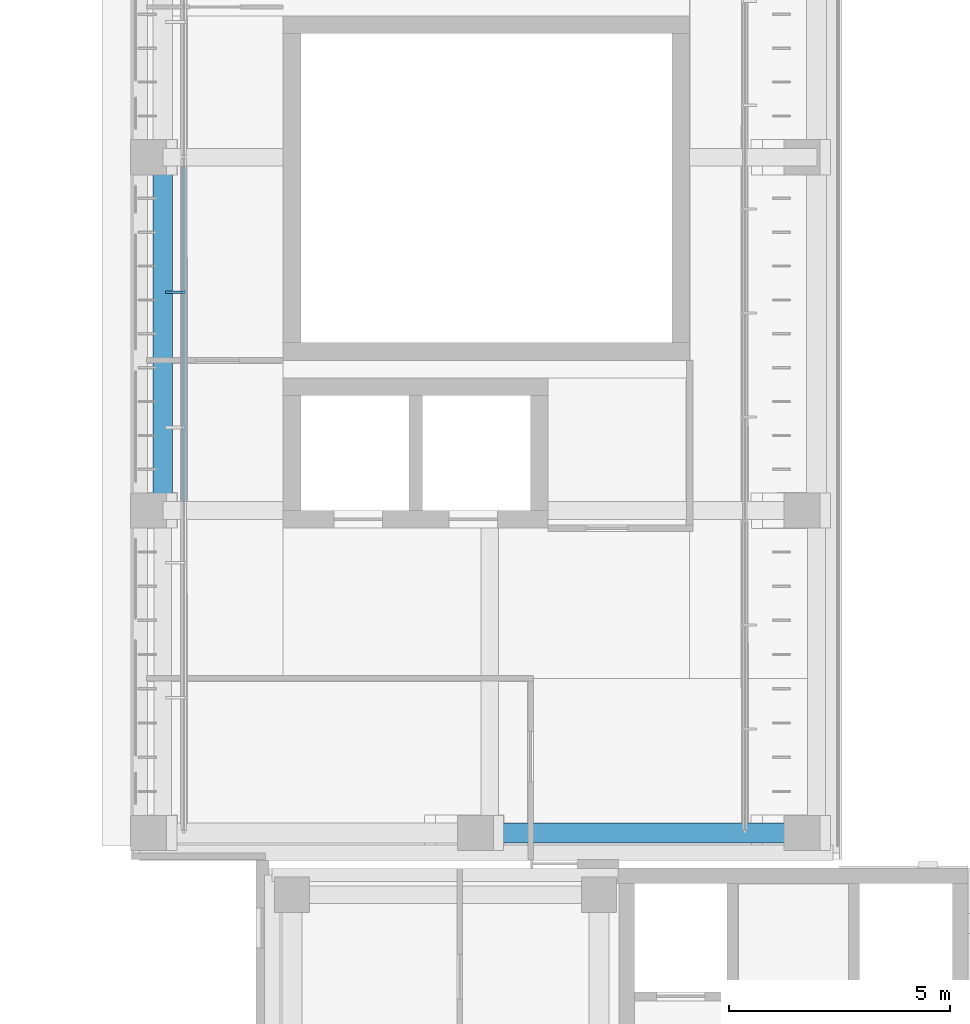
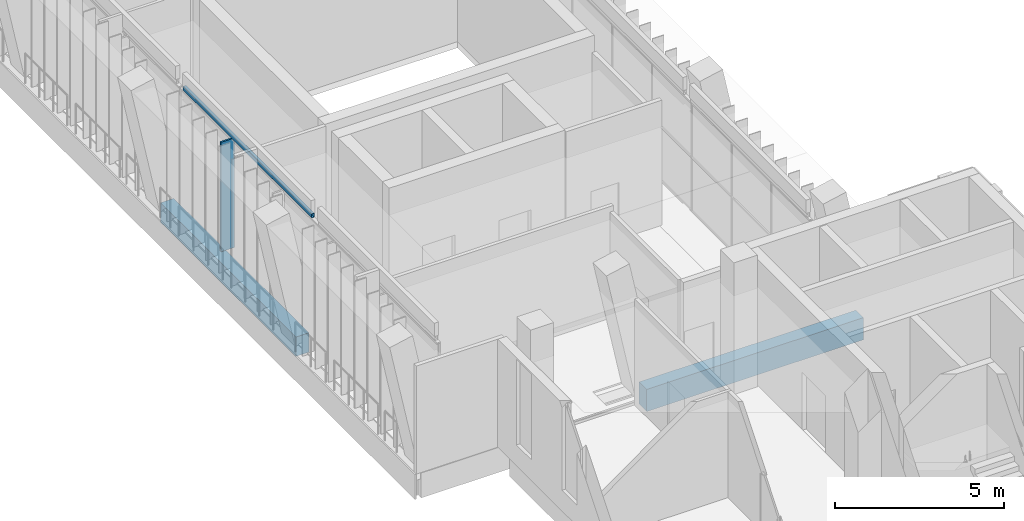
# One storey, part 23 of 89: 3 beams, 1 member, 1 element without a shape of its own.
"""IFC4 building model written with IfcOpenShell, lengths in metres."""

from ifc_helpers import new_model, si_unit, direction, frame, origin, origin_2d, place, context, subcontext, project, spatial, rectangle, hollow_rectangle, extrude, material, material_profile, profile_set, type_object, element, aggregate, save


model = new_model("IFC4")

# Units and contexts
model_context = context("Model", 3, precision=1e-05, world=origin(), true_north=direction((0.0, 1.0)))
body_context = subcontext(model_context, "Body", "Model", "MODEL_VIEW")
ifc_project = project(units=[si_unit("LENGTHUNIT", "METRE"), si_unit("AREAUNIT", "SQUARE_METRE"), si_unit("VOLUMEUNIT", "CUBIC_METRE"), si_unit("PLANEANGLEUNIT", "RADIAN"), si_unit("MASSUNIT", "GRAM", prefix="KILO")], contexts=[model_context])

# Site, building, storey
site_placement = place(None, origin())
site = spatial("IfcSite", under=ifc_project, at=site_placement, CompositionType="ELEMENT")
building_placement = place(site_placement, origin())
building = spatial("IfcBuilding", under=site, at=building_placement, Name="Lantern Court Media Centre", CompositionType="ELEMENT")
storey_placement = place(building_placement, frame((0.0, 0.0, 14.39990234375)))
storey = spatial("IfcBuildingStorey", under=building, at=storey_placement, Name="L03", CompositionType="ELEMENT", Elevation=14.39990234375)

# Curtain wall, member
ifc_material_1 = material(Name="Curtain wall bay 3000")
curtain_wall_type = type_object("IfcCurtainWallType", Name="Curtain wall bay 3000", PredefinedType="NOTDEFINED", material=ifc_material_1)
curtain_wall_placement = place(storey_placement, origin())
curtain_wall = element("IfcCurtainWall", 1, at=curtain_wall_placement, inside=storey, type_object=curtain_wall_type, Name="Curtain wall W outer L03", PredefinedType="NOTDEFINED")
ifc_material_2 = material(Name="Anodised aluminium", Category="aluminium")
ifc_material_profile_1 = material_profile(ifc_material_2, rectangle(XDim=0.449951171875, YDim=0.06005859375, at=origin_2d()), Name="AL 60x450")
ifc_profile_set_1 = profile_set([ifc_material_profile_1], Name="Anodised aluminium")
member_type = type_object("IfcMemberType", Name="Curtain wall mullion 60x450", PredefinedType="MULLION", material=ifc_profile_set_1)
member_placement = place(storey_placement, frame((5.955078125, 76.93994140625, 0.0), z_axis=(0.0, 0.0, 1.0), x_axis=(-1.0, 0.0, 0.0)))
member = element("IfcMember", 2, at=member_placement, type_object=member_type, Name="CW1 mullion 5", PredefinedType="MULLION", context=body_context, shape_type="SweptSolid", body=[
    extrude(rectangle(XDim=0.449951171875, YDim=0.06005859375, at=origin_2d()), origin(), (0.0, 0.0, 1.0), 3.9501953125),
])
aggregate(curtain_wall, [member])

# Beams
ifc_material_3 = material(Name="Steel S355J2 (EN 10025-2)", Category="steel")
ifc_material_profile_2 = material_profile(ifc_material_3, hollow_rectangle(XDim=0.10009765625, YDim=0.14990234375, WallThickness=0.00634765625, InnerFilletRadius=0.00634765625, OuterFilletRadius=0.009521484375, at=origin_2d()), Name="Facade head lintel RHS 150x100x6.3")
ifc_profile_set_2 = profile_set([ifc_material_profile_2], Name="Steel S355J2 (EN 10025-2)")
beam_type_1 = type_object("IfcBeamType", Name="Facade head lintel RHS 150x100x6.3", PredefinedType="BEAM", material=ifc_profile_set_2)
beam_1_placement = place(storey_placement, frame((6.14990234375, 72.199951171875, 4.025146484375), z_axis=(0.0, 1.0, 0.0), x_axis=(-1.0, 0.0, 0.0)))
element("IfcBeam", 3, at=beam_1_placement, inside=storey, type_object=beam_type_1, Name="Facade head lintel W L03", PredefinedType="BEAM", context=body_context, shape_type="SweptSolid", body=[
    extrude(hollow_rectangle(XDim=0.10009765625, YDim=0.14990234375, WallThickness=0.00634765625, InnerFilletRadius=0.00634765625, OuterFilletRadius=0.009521484375, at=origin_2d()), origin(), (0.0, 0.0, 1.0), 7.60009765625),
])
ifc_material_4 = material(Name="Concrete C35", Category="concrete")
ifc_material_profile_3 = material_profile(ifc_material_4, rectangle(XDim=0.449951171875, YDim=0.699951171875, at=origin_2d()), Name="RC 450x700")
ifc_profile_set_3 = profile_set([ifc_material_profile_3], Name="Concrete C35")
beam_type_2 = type_object("IfcBeamType", Name="RC BEAM 450x700", PredefinedType="BEAM", material=ifc_profile_set_3)
beam_2_placement = place(storey_placement, frame((5.6728515625, 72.0, -0.349853515625), z_axis=(0.0, 1.0, 0.0), x_axis=(-1.0, 0.0, 0.0)))
element("IfcBeam", 4, at=beam_2_placement, inside=storey, type_object=beam_type_2, Name="LB-W-L03-0-1", PredefinedType="BEAM", context=body_context, shape_type="SweptSolid", body=[
    extrude(rectangle(XDim=0.449951171875, YDim=0.699951171875, at=origin_2d()), origin(), (0.0, 0.0, 1.0), 8.0),
])
ifc_material_profile_4 = material_profile(ifc_material_4, rectangle(XDim=0.449951171875, YDim=0.800048828125, at=origin_2d()), Name="RC 450x800")
ifc_profile_set_4 = profile_set([ifc_material_profile_4], Name="Concrete C35")
beam_type_3 = type_object("IfcBeamType", Name="RC BEAM 450x800", PredefinedType="BEAM", material=ifc_profile_set_4)
beam_3_placement = place(storey_placement, frame((13.083251953125, 64.699951171875, -0.39990234375), z_axis=(1.0, 0.0, 0.0), x_axis=(0.0, 1.0, 0.0)))
element("IfcBeam", 5, at=beam_3_placement, inside=storey, type_object=beam_type_3, Name="TB-W-L03-0-2", PredefinedType="BEAM", context=body_context, shape_type="SweptSolid", body=[
    extrude(rectangle(XDim=0.449951171875, YDim=0.800048828125, at=origin_2d()), origin(), (0.0, 0.0, 1.0), 7.400146484375),
])

save(model, "model.ifc")
